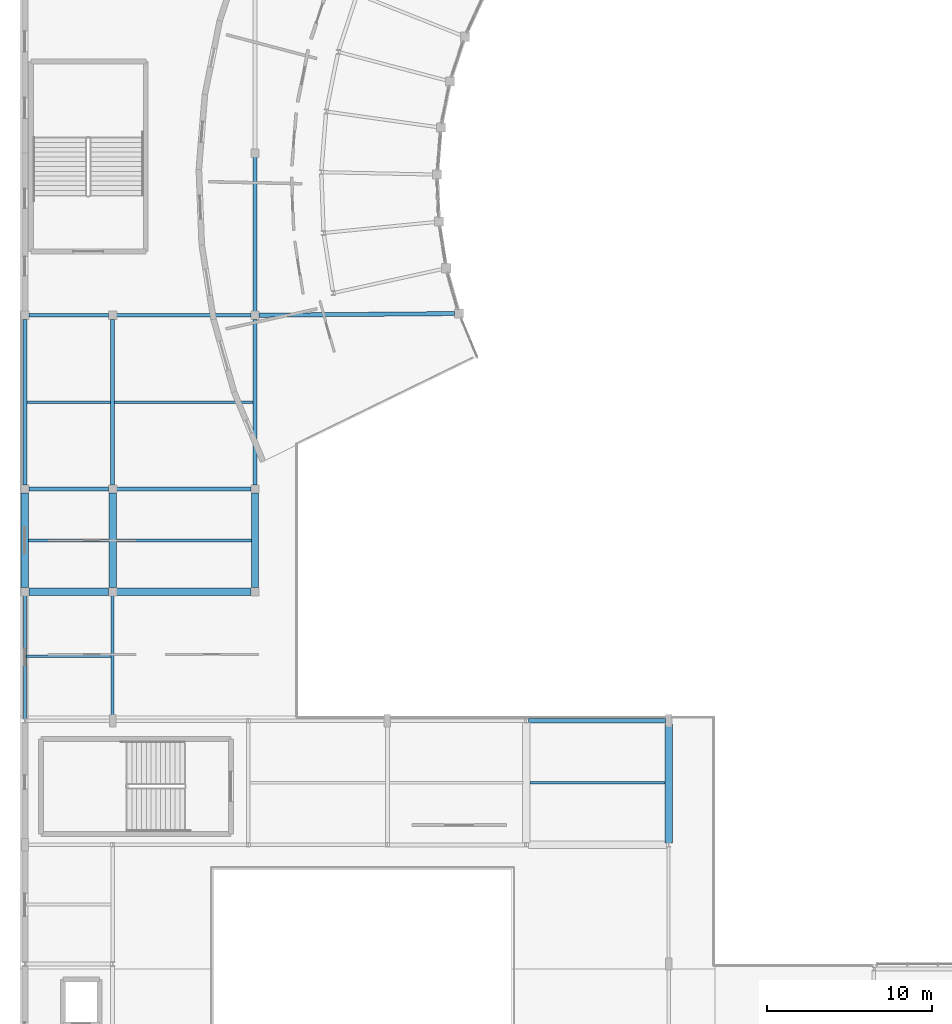
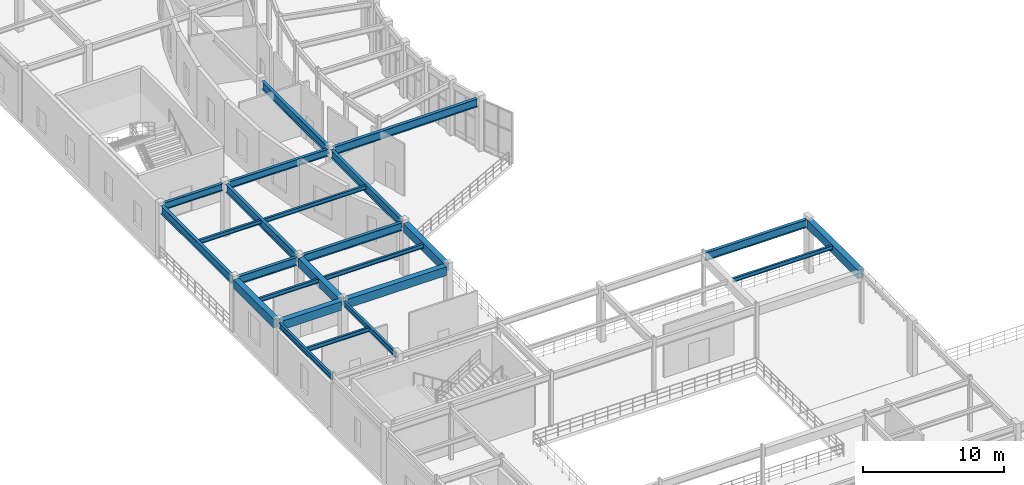
# One storey, part 31 of 144: 24 beams.
"""IFC4 building model written with IfcOpenShell, lengths in metres."""

import ifcopenshell
import ifcopenshell.guid

model = None  # the IFC model being written
_history = None  # IfcOwnerHistory: only IFC2X3 demands one
_inside = {}  # id of a spatial element -> (the spatial element, [elements in it])
_under = {}  # id of a project, library or spatial element -> (it, [spatial elements below it])
_declared = {}  # id of a project -> (the project, [libraries it declares])
_typed = {}  # id of a type object -> (the type object, [elements of that type])
_made_of = {}  # id of a material, layer set ... -> (it, [elements and type objects made of it])


def new_model(schema):
    """Start an empty IFC model of exactly this schema.

    Asked for "IFC4X3", IfcOpenShell would pick the latest addendum, in which some entities
    have other attributes; the version numbers below select the first issue.
    IFC2X3 requires an IfcOwnerHistory on every rooted entity: one is made here for all.
    """
    global model, _history
    if schema == "IFC4X3":
        model = ifcopenshell.file(schema_version=(4, 3, 0, 0))
    else:
        model = ifcopenshell.file(schema=schema)
    _inside.clear()
    _under.clear()
    _declared.clear()
    _typed.clear()
    _made_of.clear()
    _history = None
    if model.schema == "IFC2X3":
        org = make("IfcOrganization", Name="unknown")
        user = make(
            "IfcPersonAndOrganization",
            ThePerson=make("IfcPerson", FamilyName="unknown"),
            TheOrganization=org,
        )
        app = make(
            "IfcApplication",
            ApplicationDeveloper=org,
            Version="unknown",
            ApplicationFullName="unknown",
            ApplicationIdentifier="unknown",
        )
        _history = make(
            "IfcOwnerHistory",
            OwningUser=user,
            OwningApplication=app,
            ChangeAction="ADDED",
            CreationDate=0,
        )
    return model


def make(cls, **values):
    """One entity of the class cls with the attributes given. An attribute that is None is left unset."""
    return model.create_entity(
        cls, **{name: value for name, value in values.items() if value is not None}
    )


def rooted(cls, **values):
    """An entity with a GlobalId (a new one), such as an element, a storey or a relation."""
    return make(cls, GlobalId=ifcopenshell.guid.new(), OwnerHistory=_history, **values)


def si_unit(unit_type, name, prefix=None):
    """IfcSIUnit, for example si_unit("LENGTHUNIT", "METRE", prefix="MILLI")."""
    return make("IfcSIUnit", UnitType=unit_type, Prefix=prefix, Name=name)


def assignment(units):
    """IfcUnitAssignment: the units of a project."""
    return None if units is None else make("IfcUnitAssignment", Units=units)


def point(xyz):
    """IfcCartesianPoint."""
    return None if xyz is None else make("IfcCartesianPoint", Coordinates=xyz)


def direction(xyz):
    """IfcDirection."""
    return None if xyz is None else make("IfcDirection", DirectionRatios=xyz)


def frame(location, z_axis=None, x_axis=None):
    """IfcAxis2Placement3D, a coordinate frame: its origin and axes. An axis left out is left unset."""
    return make(
        "IfcAxis2Placement3D",
        Location=point(location),
        Axis=direction(z_axis),
        RefDirection=direction(x_axis),
    )


def frame_2d(location, x_axis=None):
    """IfcAxis2Placement2D, a coordinate frame in the plane: its origin and x axis."""
    return make(
        "IfcAxis2Placement2D", Location=point(location), RefDirection=direction(x_axis)
    )


def origin():
    """The frame at (0, 0, 0) with its axes left unset."""
    return frame((0.0, 0.0, 0.0))


def origin_2d():
    """The frame at (0, 0) in the plane with its x axis left unset."""
    return frame_2d((0.0, 0.0))


def place(relative_to, where):
    """IfcLocalPlacement: puts the frame where relative to a parent placement (None: the world)."""
    return make(
        "IfcLocalPlacement", PlacementRelTo=relative_to, RelativePlacement=where
    )


def context(
    kind, dimensions, precision=None, world=None, true_north=None, identifier=None
):
    """IfcGeometricRepresentationContext, for example the 3D "Model" context."""
    return make(
        "IfcGeometricRepresentationContext",
        ContextIdentifier=identifier,
        ContextType=kind,
        CoordinateSpaceDimension=dimensions,
        Precision=precision,
        WorldCoordinateSystem=world,
        TrueNorth=true_north,
    )


def subcontext(parent, identifier, kind, view, scale=None):
    """IfcGeometricRepresentationSubContext, for example "Body" below "Model"."""
    return make(
        "IfcGeometricRepresentationSubContext",
        ContextIdentifier=identifier,
        ContextType=kind,
        ParentContext=parent,
        TargetScale=scale,
        TargetView=view,
    )


def project(units=None, contexts=None):
    """IfcProject with its units and contexts."""
    return rooted(
        "IfcProject",
        Name="project",
        RepresentationContexts=contexts,
        UnitsInContext=assignment(units),
    )


def spatial(cls, under=None, at=None, **own):
    """A site, building, storey or space (cls), placed at a placement, below another one or the project."""
    s = rooted(cls, ObjectPlacement=at, **own)
    if under is not None:
        _under.setdefault(under.id(), (under, []))[1].append(s)
    return s


def profile(cls, at=None, kind="AREA", **sizes):
    """A parametric profile (cls). Its sizes go by their IFC names, for example OverallWidth=200.0."""
    return make(cls, ProfileType=kind, Position=at, **sizes)


def rectangle(**sizes):
    """IfcRectangleProfileDef."""
    return profile("IfcRectangleProfileDef", **sizes)


def i_section(**sizes):
    """IfcIShapeProfileDef."""
    return profile("IfcIShapeProfileDef", **sizes)


def extrude(swept, where, along, depth):
    """IfcExtrudedAreaSolid: the profile swept, set in the frame where, extruded along a direction by depth."""
    return make(
        "IfcExtrudedAreaSolid",
        SweptArea=swept,
        Position=where,
        ExtrudedDirection=direction(along),
        Depth=depth,
    )


def shape(context_of_items, identifier, shape_type, items):
    """IfcShapeRepresentation: the items that make up one representation, for example the "Body"."""
    return make(
        "IfcShapeRepresentation",
        ContextOfItems=context_of_items,
        RepresentationIdentifier=identifier,
        RepresentationType=shape_type,
        Items=items,
    )


def material(Name=None, Category=None):
    """IfcMaterial."""
    return make("IfcMaterial", Name=Name, Category=Category)


def material_profile(
    of_material, cross_section, Name=None, Category=None, Priority=None
):
    """IfcMaterialProfile: a cross section and its material."""
    return make(
        "IfcMaterialProfile",
        Name=Name,
        Material=of_material,
        Profile=cross_section,
        Priority=Priority,
        Category=Category,
    )


def profile_set(profiles, Name=None, composite=None):
    """IfcMaterialProfileSet."""
    return make(
        "IfcMaterialProfileSet",
        Name=Name,
        MaterialProfiles=profiles,
        CompositeProfile=composite,
    )


def made_of(thing, what):
    """Note that an element or type object is made of a material, layer set ...; save() writes the relation."""
    if what is not None:
        _made_of.setdefault(what.id(), (what, []))[1].append(thing)
    return thing


def type_object(cls, material=None, **own):
    """A type object (cls), such as IfcWallType, which elements share."""
    return made_of(rooted(cls, **own), material)


def element(
    cls,
    number,
    at=None,
    inside=None,
    cuts=None,
    type_object=None,
    material=None,
    context=None,
    identifier="Body",
    shape_type=None,
    held_by="IfcProductDefinitionShape",
    body=None,
    shapes=None,
    **own,
):
    """One element of the class cls, such as IfcWall. Its Tag is "e" and its number.

    at: its placement. inside: the storey or other place that contains it. cuts: it is an
    opening in that element (IfcRelVoidsElement). A single representation is given by context,
    identifier, shape_type and body (its items); several are given by shapes. held_by: the class
    of the entity that holds the representations. save() writes the other relations.
    """
    e = rooted(cls, Tag="e%d" % number, ObjectPlacement=at, **own)
    if body is not None:
        shapes = [shape(context, identifier, shape_type, body)]
    if shapes is not None:
        e.Representation = make(held_by, Representations=shapes)
    if inside is not None:
        _inside.setdefault(inside.id(), (inside, []))[1].append(e)
    if cuts is not None:
        rooted(
            "IfcRelVoidsElement", RelatingBuildingElement=cuts, RelatedOpeningElement=e
        )
    if type_object is not None:
        _typed.setdefault(type_object.id(), (type_object, []))[1].append(e)
    return made_of(e, material)


def aggregate(whole, parts):
    """IfcRelAggregates: a whole, such as a stair, and the parts it consists of."""
    return rooted("IfcRelAggregates", RelatingObject=whole, RelatedObjects=parts)


def save(model, path):
    """Write the relations noted so far, then the file.

    IfcRelAggregates (storeys below a building ...), IfcRelContainedInSpatialStructure (elements
    in a storey), IfcRelDefinesByType, IfcRelAssociatesMaterial and IfcRelDeclares: one each for
    every whole, place, type object, material and project.
    """
    for whole, parts in _under.values():
        aggregate(whole, parts)
    for where, things in _inside.values():
        rooted(
            "IfcRelContainedInSpatialStructure",
            RelatedElements=things,
            RelatingStructure=where,
        )
    for kind, things in _typed.values():
        rooted("IfcRelDefinesByType", RelatedObjects=things, RelatingType=kind)
    for what, things in _made_of.values():
        rooted("IfcRelAssociatesMaterial", RelatedObjects=things, RelatingMaterial=what)
    for by, libraries in _declared.values():
        rooted("IfcRelDeclares", RelatingContext=by, RelatedDefinitions=libraries)
    model.write(path)


model = new_model("IFC4")

# Units and contexts
model_context = context("Model", 3, precision=1e-05, world=origin(), true_north=direction((0.0, 1.0)))
body_context = subcontext(model_context, "Body", "Model", "MODEL_VIEW")
ifc_project = project(units=[si_unit("LENGTHUNIT", "METRE"), si_unit("AREAUNIT", "SQUARE_METRE"), si_unit("VOLUMEUNIT", "CUBIC_METRE"), si_unit("PLANEANGLEUNIT", "RADIAN"), si_unit("MASSUNIT", "GRAM", prefix="KILO")], contexts=[model_context])

# Site, building, storey
site_placement = place(None, origin())
site = spatial("IfcSite", under=ifc_project, at=site_placement, CompositionType="ELEMENT")
building_placement = place(site_placement, origin())
building = spatial("IfcBuilding", under=site, at=building_placement, Name="Cinderbank Siding Concert Hall", CompositionType="ELEMENT")
storey_placement = place(building_placement, frame((0.0, 0.0, 5.39990234375)))
storey = spatial("IfcBuildingStorey", under=building, at=storey_placement, Name="L02", CompositionType="ELEMENT", Elevation=5.39990234375)

# Beams
ifc_material_1 = material(Name="Reinforced concrete AS 3600 N50 (50 MPa)", Category="concrete")
ifc_material_profile_1 = material_profile(ifc_material_1, rectangle(XDim=0.449951171875, YDim=0.75, at=origin_2d()), Name="RC-BM-450x750", Category="LoadBearing")
ifc_profile_set_1 = profile_set([ifc_material_profile_1], Name="Reinforced concrete AS 3600 N50 (50 MPa)")
beam_type_1 = type_object("IfcBeamType", Name="BM-RC750 RC-BM-450x750", PredefinedType="BEAM", material=ifc_profile_set_1)
beam_1_placement = place(storey_placement, frame((46.0, 28.118896484375, 4.1669921875), z_axis=(0.0, 1.0, 0.0), x_axis=(-1.0, 0.0, 0.0)))
element("IfcBeam", 1, at=beam_1_placement, inside=storey, type_object=beam_type_1, Name="L02 Beam BM-RC750 #1527", PredefinedType="BEAM", context=body_context, shape_type="SweptSolid", body=[
    extrude(rectangle(XDim=0.449951171875, YDim=0.75, at=origin_2d()), origin(), (0.0, 0.0, 1.0), 7.189208984375),
])
beam_2_placement = place(storey_placement, frame((7.342041015625, 43.300048828125, 4.177001953125), z_axis=(1.0, 0.0, 0.0), x_axis=(0.0, 1.0, 0.0)))
element("IfcBeam", 2, at=beam_2_placement, inside=storey, type_object=beam_type_1, Name="L02 Beam BM-RC750 #1634", PredefinedType="BEAM", context=body_context, shape_type="SweptSolid", body=[
    extrude(rectangle(XDim=0.449951171875, YDim=0.75, at=origin_2d()), origin(), (0.0, 0.0, 1.0), 4.81591796875),
])
beam_3_placement = place(storey_placement, frame((7.10009765625, 43.5419921875, 4.177001953125), z_axis=(0.0, 1.0, 0.0), x_axis=(-1.0, 0.0, 0.0)))
element("IfcBeam", 3, at=beam_3_placement, inside=storey, type_object=beam_type_1, Name="L02 Beam BM-RC750 #1635", PredefinedType="BEAM", context=body_context, shape_type="SweptSolid", body=[
    extrude(rectangle(XDim=0.449951171875, YDim=0.75, at=origin_2d()), origin(), (0.0, 0.0, 1.0), 5.716064453125),
])
beam_4_placement = place(storey_placement, frame((12.64208984375, 43.300048828125, 4.177001953125), z_axis=(1.0, 0.0, 0.0), x_axis=(0.0, 1.0, 0.0)))
element("IfcBeam", 4, at=beam_4_placement, inside=storey, type_object=beam_type_1, Name="L02 Beam BM-RC750 #1643", PredefinedType="BEAM", context=body_context, shape_type="SweptSolid", body=[
    extrude(rectangle(XDim=0.449951171875, YDim=0.75, at=origin_2d()), origin(), (0.0, 0.0, 1.0), 8.115966796875),
])
for number, where, z_axis, x_axis, name in (
    (5, (12.39990234375, 43.5419921875, 4.177001953125), (0.0, 1.0, 0.0), (-1.0, 0.0, 0.0), "L02 Beam BM-RC750 #1644"),
    (6, (21.0, 43.5419921875, 4.177001953125), (0.0, 1.0, 0.0), (-1.0, 0.0, 0.0), "L02 Beam BM-RC750 #1651"),
):
    element("IfcBeam", number, at=place(storey_placement, frame(where, z_axis=z_axis, x_axis=x_axis)), inside=storey, type_object=beam_type_1, Name=name, PredefinedType="BEAM", context=body_context, shape_type="SweptSolid", body=[
        extrude(rectangle(XDim=0.449951171875, YDim=0.75, at=origin_2d()), origin(), (0.0, 0.0, 1.0), 5.716064453125),
    ])
ifc_material_2 = material(Name="Structural steel AS/NZS 3679.1 Grade 350 (340 MPa)", Category="steel")
ifc_material_profile_2 = material_profile(ifc_material_2, i_section(OverallWidth=0.18994140625, OverallDepth=0.45751953125, WebThickness=0.009033203125, FlangeThickness=0.014404296875, at=origin_2d()), Name="460UB74.6", Category="LoadBearing")
ifc_profile_set_2 = profile_set([ifc_material_profile_2], Name="Structural steel AS/NZS 3679.1 Grade 350 (340 MPa)")
beam_type_2 = type_object("IfcBeamType", Name="BM-UB460 460UB74.6", PredefinedType="BEAM", material=ifc_profile_set_2)
beam_5_placement = place(storey_placement, frame((7.10009765625, 35.618896484375, 4.3134765625), z_axis=(0.0, 1.0, 0.0), x_axis=(-1.0, 0.0, 0.0)))
element("IfcBeam", 7, at=beam_5_placement, inside=storey, type_object=beam_type_2, Name="L02 Beam BM-UB460 #1498", PredefinedType="BEAM", context=body_context, shape_type="SweptSolid", body=[
    extrude(i_section(OverallWidth=0.18994140625, OverallDepth=0.45751953125, WebThickness=0.009033203125, FlangeThickness=0.014404296875, at=origin_2d()), origin(), (0.0, 0.0, 1.0), 7.439208984375),
])
beam_6_placement = place(storey_placement, frame((12.39990234375, 35.69189453125, 4.3134765625), z_axis=(0.0, 1.0, 0.0), x_axis=(-1.0, 0.0, 0.0)))
element("IfcBeam", 8, at=beam_6_placement, inside=storey, type_object=beam_type_2, Name="L02 Beam BM-UB460 #1506", PredefinedType="BEAM", context=body_context, shape_type="SweptSolid", body=[
    extrude(i_section(OverallWidth=0.18994140625, OverallDepth=0.45751953125, WebThickness=0.009033203125, FlangeThickness=0.014404296875, at=origin_2d()), origin(), (0.0, 0.0, 1.0), 7.3662109375),
])
ifc_material_profile_3 = material_profile(ifc_material_2, i_section(OverallWidth=0.22802734375, OverallDepth=0.602294921875, WebThickness=0.010498046875, FlangeThickness=0.014892578125, at=origin_2d()), Name="610UB101", Category="LoadBearing")
ifc_profile_set_3 = profile_set([ifc_material_profile_3], Name="Structural steel AS/NZS 3679.1 Grade 350 (340 MPa)")
beam_type_3 = type_object("IfcBeamType", Name="BM-UB610 610UB101", PredefinedType="BEAM", material=ifc_profile_set_3)
beam_7_placement = place(storey_placement, frame((7.342041015625, 60.0, 4.2509765625), z_axis=(1.0, 0.0, 0.0), x_axis=(0.0, 1.0, 0.0)))
element("IfcBeam", 9, at=beam_7_placement, inside=storey, type_object=beam_type_3, Name="L02 Beam BM-UB610 #1638", PredefinedType="BEAM", context=body_context, shape_type="SweptSolid", body=[
    extrude(i_section(OverallWidth=0.22802734375, OverallDepth=0.602294921875, WebThickness=0.010498046875, FlangeThickness=0.014892578125, at=origin_2d()), origin(), (0.0, 0.0, 1.0), 4.81591796875),
])
beam_8_placement = place(storey_placement, frame((12.64208984375, 60.0, 4.220947265625), z_axis=(1.0, 0.0, 0.0), x_axis=(0.0, 1.0, 0.0)))
element("IfcBeam", 10, at=beam_8_placement, inside=storey, type_object=beam_type_3, Name="L02 Beam BM-UB610 #1647", PredefinedType="BEAM", context=body_context, shape_type="SweptSolid", body=[
    extrude(i_section(OverallWidth=0.22802734375, OverallDepth=0.602294921875, WebThickness=0.010498046875, FlangeThickness=0.014892578125, at=origin_2d()), origin(), (0.0, 0.0, 1.0), 8.115966796875),
])
ifc_material_3 = material(Name="Structural steel welded plate section AS/NZS 3679.2 / AS/NZS 3678 Grade 350 (340 MPa)", Category="steel")
ifc_material_profile_4 = material_profile(ifc_material_3, i_section(OverallWidth=0.25, OverallDepth=0.699951171875, WebThickness=0.010009765625, FlangeThickness=0.01611328125, at=origin_2d()), Name="700WB130", Category="LoadBearing")
ifc_profile_set_4 = profile_set([ifc_material_profile_4], Name="Structural steel welded plate section AS/NZS 3679.2 / AS/NZS 3678 Grade 350 (340 MPa)")
beam_type_4 = type_object("IfcBeamType", Name="BM-WB700 700WB130", PredefinedType="BEAM", material=ifc_profile_set_4)
beam_9_placement = place(storey_placement, frame((37.51904296875, 35.5, 4.192138671875), z_axis=(1.0, 0.0, 0.0), x_axis=(0.0, 1.0, 0.0)))
element("IfcBeam", 11, at=beam_9_placement, inside=storey, type_object=beam_type_4, Name="L02 Beam BM-WB700 #1522", PredefinedType="BEAM", context=body_context, shape_type="SweptSolid", body=[
    extrude(i_section(OverallWidth=0.25, OverallDepth=0.699951171875, WebThickness=0.010009765625, FlangeThickness=0.01611328125, at=origin_2d()), origin(), (0.0, 0.0, 1.0), 8.2890625),
])
beam_10_placement = place(storey_placement, frame((7.342041015625, 49.5, 4.2021484375), z_axis=(1.0, 0.0, 0.0), x_axis=(0.0, 1.0, 0.0)))
element("IfcBeam", 12, at=beam_10_placement, inside=storey, type_object=beam_type_4, Name="L02 Beam BM-WB700 #1636", PredefinedType="BEAM", context=body_context, shape_type="SweptSolid", body=[
    extrude(i_section(OverallWidth=0.25, OverallDepth=0.699951171875, WebThickness=0.010009765625, FlangeThickness=0.01611328125, at=origin_2d()), origin(), (0.0, 0.0, 1.0), 4.81591796875),
])
beam_11_placement = place(storey_placement, frame((7.10009765625, 49.741943359375, 4.2021484375), z_axis=(0.0, 1.0, 0.0), x_axis=(-1.0, 0.0, 0.0)))
element("IfcBeam", 13, at=beam_11_placement, inside=storey, type_object=beam_type_4, Name="L02 Beam BM-WB700 #1637", PredefinedType="BEAM", context=body_context, shape_type="SweptSolid", body=[
    extrude(i_section(OverallWidth=0.25, OverallDepth=0.699951171875, WebThickness=0.010009765625, FlangeThickness=0.01611328125, at=origin_2d()), origin(), (0.0, 0.0, 1.0), 10.01611328125),
])
beam_12_placement = place(storey_placement, frame((12.64208984375, 49.5, 4.2021484375), z_axis=(1.0, 0.0, 0.0), x_axis=(0.0, 1.0, 0.0)))
element("IfcBeam", 14, at=beam_12_placement, inside=storey, type_object=beam_type_4, Name="L02 Beam BM-WB700 #1645", PredefinedType="BEAM", context=body_context, shape_type="SweptSolid", body=[
    extrude(i_section(OverallWidth=0.25, OverallDepth=0.699951171875, WebThickness=0.010009765625, FlangeThickness=0.01611328125, at=origin_2d()), origin(), (0.0, 0.0, 1.0), 8.115966796875),
])
for number, where, z_axis, x_axis, name in (
    (15, (12.39990234375, 49.741943359375, 4.2021484375), (0.0, 1.0, 0.0), (-1.0, 0.0, 0.0), "L02 Beam BM-WB700 #1646"),
    (16, (21.0, 49.741943359375, 4.172119140625), (0.0, 1.0, 0.0), (-1.0, 0.0, 0.0), "L02 Beam BM-WB700 #1652"),
):
    element("IfcBeam", number, at=place(storey_placement, frame(where, z_axis=z_axis, x_axis=x_axis)), inside=storey, type_object=beam_type_4, Name=name, PredefinedType="BEAM", context=body_context, shape_type="SweptSolid", body=[
        extrude(i_section(OverallWidth=0.25, OverallDepth=0.699951171875, WebThickness=0.010009765625, FlangeThickness=0.01611328125, at=origin_2d()), origin(), (0.0, 0.0, 1.0), 10.01611328125),
    ])
beam_13_placement = place(storey_placement, frame((21.241943359375, 60.002197265625, 4.172119140625), z_axis=(0.999962413159, 0.008670194334, 0.0), x_axis=(-0.008670194334, 0.999962413159, 0.0)))
element("IfcBeam", 17, at=beam_13_placement, inside=storey, type_object=beam_type_4, Name="L02 Beam BM-WB700 #1653", PredefinedType="BEAM", context=body_context, shape_type="SweptSolid", body=[
    extrude(i_section(OverallWidth=0.25, OverallDepth=0.699951171875, WebThickness=0.010009765625, FlangeThickness=0.01611328125, at=origin_2d()), origin(), (0.0, 0.0, 1.0), 11.82666015625),
])
beam_14_placement = place(storey_placement, frame((21.0, 60.241943359375, 4.172119140625), z_axis=(0.0, 1.0, 0.0), x_axis=(-1.0, 0.0, 0.0)))
element("IfcBeam", 18, at=beam_14_placement, inside=storey, type_object=beam_type_4, Name="L02 Beam BM-WB700 #1654", PredefinedType="BEAM", context=body_context, shape_type="SweptSolid", body=[
    extrude(i_section(OverallWidth=0.25, OverallDepth=0.699951171875, WebThickness=0.010009765625, FlangeThickness=0.01611328125, at=origin_2d()), origin(), (0.0, 0.0, 1.0), 9.316162109375),
])
ifc_material_profile_5 = material_profile(ifc_material_2, i_section(OverallWidth=0.1708984375, OverallDepth=0.35205078125, WebThickness=0.0068359375, FlangeThickness=0.009765625, at=origin_2d()), Name="360UB44.7", Category="LoadBearing")
ifc_profile_set_5 = profile_set([ifc_material_profile_5], Name="Structural steel AS/NZS 3679.1 Grade 350 (340 MPa)")
beam_type_5 = type_object("IfcBeamType", Name="JS-UB360 360UB44.7", PredefinedType="JOIST", material=ifc_profile_set_5)
beam_15_placement = place(storey_placement, frame((7.18701171875, 39.39990234375, 4.3759765625), z_axis=(1.0, 0.0, 0.0), x_axis=(0.0, 1.0, 0.0)))
element("IfcBeam", 19, at=beam_15_placement, inside=storey, type_object=beam_type_5, Name="L02 Beam JS-UB360 #1661", PredefinedType="JOIST", context=body_context, shape_type="SweptSolid", body=[
    extrude(i_section(OverallWidth=0.1708984375, OverallDepth=0.35205078125, WebThickness=0.0068359375, FlangeThickness=0.009765625, at=origin_2d()), origin(), (0.0, 0.0, 1.0), 5.1259765625),
])
beam_16_placement = place(storey_placement, frame((37.616943359375, 31.75, 4.3662109375), z_axis=(1.0, 0.0, 0.0), x_axis=(0.0, 1.0, 0.0)))
element("IfcBeam", 20, at=beam_16_placement, inside=storey, type_object=beam_type_5, Name="L02 Beam JS-UB360 #1665", PredefinedType="JOIST", context=body_context, shape_type="SweptSolid", body=[
    extrude(i_section(OverallWidth=0.1708984375, OverallDepth=0.35205078125, WebThickness=0.0068359375, FlangeThickness=0.009765625, at=origin_2d()), origin(), (0.0, 0.0, 1.0), 8.166015625),
])
beam_17_placement = place(storey_placement, frame((7.31689453125, 46.39990234375, 4.3759765625), z_axis=(1.0, 0.0, 0.0), x_axis=(0.0, 1.0, 0.0)))
element("IfcBeam", 21, at=beam_17_placement, inside=storey, type_object=beam_type_5, Name="L02 Beam JS-UB360 #1695", PredefinedType="JOIST", context=body_context, shape_type="SweptSolid", body=[
    extrude(i_section(OverallWidth=0.1708984375, OverallDepth=0.35205078125, WebThickness=0.0068359375, FlangeThickness=0.009765625, at=origin_2d()), origin(), (0.0, 0.0, 1.0), 4.8662109375),
])
beam_18_placement = place(storey_placement, frame((7.217041015625, 54.75, 4.3759765625), z_axis=(1.0, 0.0, 0.0), x_axis=(0.0, 1.0, 0.0)))
element("IfcBeam", 22, at=beam_18_placement, inside=storey, type_object=beam_type_5, Name="L02 Beam JS-UB360 #1696", PredefinedType="JOIST", context=body_context, shape_type="SweptSolid", body=[
    extrude(i_section(OverallWidth=0.1708984375, OverallDepth=0.35205078125, WebThickness=0.0068359375, FlangeThickness=0.009765625, at=origin_2d()), origin(), (0.0, 0.0, 1.0), 5.06591796875),
])
beam_19_placement = place(storey_placement, frame((12.616943359375, 46.39990234375, 4.3759765625), z_axis=(1.0, 0.0, 0.0), x_axis=(0.0, 1.0, 0.0)))
element("IfcBeam", 23, at=beam_19_placement, inside=storey, type_object=beam_type_5, Name="L02 Beam JS-UB360 #1698", PredefinedType="JOIST", context=body_context, shape_type="SweptSolid", body=[
    extrude(i_section(OverallWidth=0.1708984375, OverallDepth=0.35205078125, WebThickness=0.0068359375, FlangeThickness=0.009765625, at=origin_2d()), origin(), (0.0, 0.0, 1.0), 8.166015625),
])
beam_20_placement = place(storey_placement, frame((12.51708984375, 54.75, 4.34619140625), z_axis=(1.0, 0.0, 0.0), x_axis=(0.0, 1.0, 0.0)))
element("IfcBeam", 24, at=beam_20_placement, inside=storey, type_object=beam_type_5, Name="L02 Beam JS-UB360 #1699", PredefinedType="JOIST", context=body_context, shape_type="SweptSolid", body=[
    extrude(i_section(OverallWidth=0.1708984375, OverallDepth=0.35205078125, WebThickness=0.0068359375, FlangeThickness=0.009765625, at=origin_2d()), origin(), (0.0, 0.0, 1.0), 8.365966796875),
])

save(model, "model.ifc")
